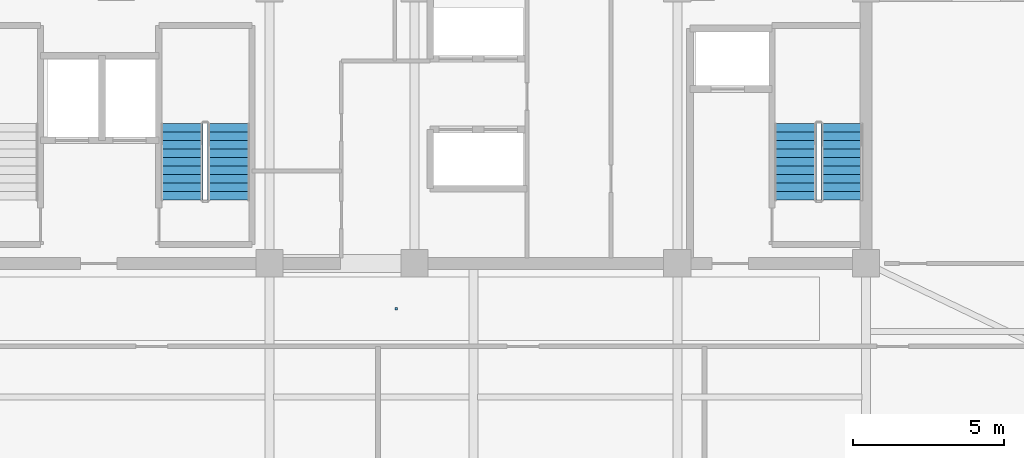
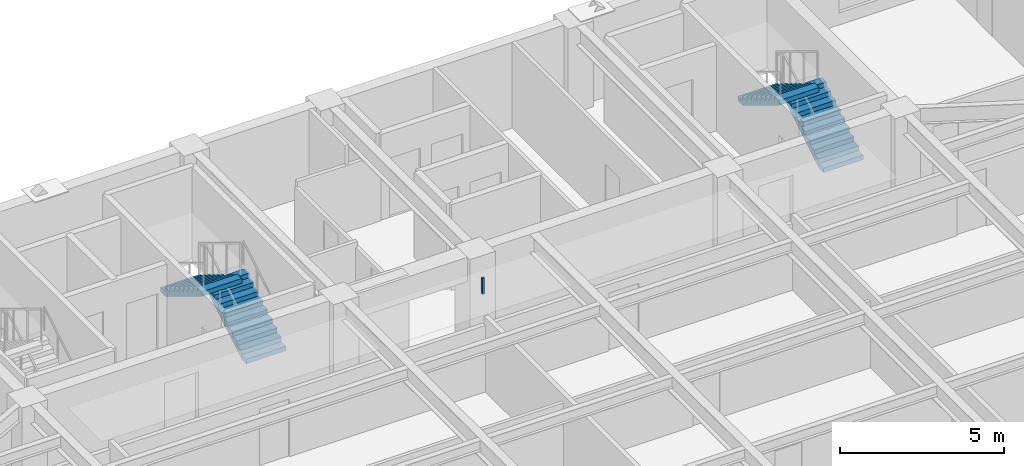
# One storey, part 9 of 13: 4 stair flights, 1 discrete accessory, 2 elements without a shape of their own.
"""IFC4 building model written with IfcOpenShell, lengths in metres."""

from ifc_helpers import new_model, si_unit, direction, frame, origin, origin_2d, place, context, subcontext, project, spatial, polyline, rectangle, outline, extrude, source, transform, mapped, material, type_object, element, aggregate, save


model = new_model("IFC4")

# Units and contexts
model_context = context("Model", 3, precision=1e-05, world=origin(), true_north=direction((0.0, 1.0)))
body_context = subcontext(model_context, "Body", "Model", "MODEL_VIEW")
ifc_project = project(units=[si_unit("LENGTHUNIT", "METRE"), si_unit("AREAUNIT", "SQUARE_METRE"), si_unit("VOLUMEUNIT", "CUBIC_METRE"), si_unit("PLANEANGLEUNIT", "RADIAN"), si_unit("MASSUNIT", "GRAM", prefix="KILO")], contexts=[model_context])

# Site, building, storey
site_placement = place(None, origin())
site = spatial("IfcSite", under=ifc_project, at=site_placement, CompositionType="ELEMENT")
building_placement = place(site_placement, origin())
building = spatial("IfcBuilding", under=site, at=building_placement, Name="Giltprow Tower", CompositionType="ELEMENT")
storey_placement = place(building_placement, frame((0.0, 0.0, 304.0)))
storey = spatial("IfcBuildingStorey", under=building, at=storey_placement, Name="L78", CompositionType="ELEMENT", Elevation=304.0)

# Stair, stair flights
ifc_material_1 = material(Name="Concrete C40", Category="concrete")
stair_type_1 = type_object("IfcStairType", Name="STR-ST-2", PredefinedType="HALF_TURN_STAIR", material=ifc_material_1)
stair_1_placement = place(storey_placement, origin())
stair_1 = element("IfcStair", 1, at=stair_1_placement, inside=storey, type_object=stair_type_1, Name="L78 Core Exit Stair ST-2", PredefinedType="HALF_TURN_STAIR")
stair_flight_type_1 = type_object("IfcStairFlightType", Name="SFL-ST-2", PredefinedType="STRAIGHT", material=ifc_material_1)
stair_flight_1_placement = place(storey_placement, frame((29.4599609375, 39.550048828125, 0.0), z_axis=(0.0, 0.0, 1.0), x_axis=(0.0, 1.0, 0.0)))
stair_flight_1 = element("IfcStairFlight", 2, at=stair_flight_1_placement, type_object=stair_flight_type_1, Name="ST-2 flight 1", NumberOfRisers=10, NumberOfTreads=9, PredefinedType="STRAIGHT", RiserHeight=0.17, TreadLength=0.28, context=body_context, shape_type="SweptSolid", body=[
    extrude(outline(polyline([(0.0, 0.0), (0.0, 0.169921875), (0.280029296875, 0.169921875), (0.280029296875, 0.340087890625), (0.56005859375, 0.340087890625), (0.56005859375, 0.510009765625), (0.840087890625, 0.510009765625), (0.840087890625, 0.679931640625), (1.1201171875, 0.679931640625), (1.1201171875, 0.85009765625), (1.39990234375, 0.85009765625), (1.39990234375, 1.02001953125), (1.679931640625, 1.02001953125), (1.679931640625, 1.18994140625), (1.9599609375, 1.18994140625), (1.9599609375, 1.360107421875), (2.239990234375, 1.360107421875), (2.239990234375, 1.530029296875), (2.52001953125, 1.530029296875), (2.52001953125, 1.699951171875), (2.52001953125, 1.354736328125), (0.288818359375, 0.0), (0.0, 0.0)])), frame((0.0, 0.699951171875, 0.0), z_axis=(0.0, -1.0, 0.0), x_axis=(1.0, 0.0, 0.0)), (0.0, 0.0, 1.0), 1.39990234375),
])
stair_flight_2_placement = place(storey_placement, frame((27.89990234375, 42.070068359375, 1.699951171875), z_axis=(0.0, 0.0, 1.0), x_axis=(0.0, -1.0, 0.0)))
stair_flight_2 = element("IfcStairFlight", 3, at=stair_flight_2_placement, type_object=stair_flight_type_1, Name="ST-2 flight 2", NumberOfRisers=10, NumberOfTreads=9, PredefinedType="STRAIGHT", RiserHeight=0.17, TreadLength=0.28, context=body_context, shape_type="SweptSolid", body=[
    extrude(outline(polyline([(0.0, 0.0), (0.0, 0.169921875), (0.280029296875, 0.169921875), (0.280029296875, 0.340087890625), (0.56005859375, 0.340087890625), (0.56005859375, 0.510009765625), (0.840087890625, 0.510009765625), (0.840087890625, 0.679931640625), (1.1201171875, 0.679931640625), (1.1201171875, 0.85009765625), (1.39990234375, 0.85009765625), (1.39990234375, 1.02001953125), (1.679931640625, 1.02001953125), (1.679931640625, 1.18994140625), (1.9599609375, 1.18994140625), (1.9599609375, 1.360107421875), (2.239990234375, 1.360107421875), (2.239990234375, 1.530029296875), (2.52001953125, 1.530029296875), (2.52001953125, 1.699951171875), (2.52001953125, 1.354736328125), (0.288818359375, 0.0), (0.0, 0.0)])), frame((0.0, 0.699951171875, 0.0), z_axis=(0.0, -1.0, 0.0), x_axis=(1.0, 0.0, 0.0)), (0.0, 0.0, 1.0), 1.39990234375),
])
aggregate(stair_1, [stair_flight_1, stair_flight_2])

stair_type_2 = type_object("IfcStairType", Name="STR-ST-3", PredefinedType="HALF_TURN_STAIR", material=ifc_material_1)
stair_2_placement = place(storey_placement, origin())
stair_2 = element("IfcStair", 4, at=stair_2_placement, inside=storey, type_object=stair_type_2, Name="L78 Core Exit Stair ST-3", PredefinedType="HALF_TURN_STAIR")
stair_flight_type_2 = type_object("IfcStairFlightType", Name="SFL-ST-3", PredefinedType="STRAIGHT", material=ifc_material_1)
stair_flight_3_placement = place(storey_placement, frame((49.760009765625, 39.550048828125, 0.0), z_axis=(0.0, 0.0, 1.0), x_axis=(0.0, 1.0, 0.0)))
stair_flight_3 = element("IfcStairFlight", 5, at=stair_flight_3_placement, type_object=stair_flight_type_2, Name="ST-3 flight 1", NumberOfRisers=10, NumberOfTreads=9, PredefinedType="STRAIGHT", RiserHeight=0.17, TreadLength=0.28, context=body_context, shape_type="SweptSolid", body=[
    extrude(outline(polyline([(0.0, 0.0), (0.0, 0.169921875), (0.280029296875, 0.169921875), (0.280029296875, 0.340087890625), (0.56005859375, 0.340087890625), (0.56005859375, 0.510009765625), (0.840087890625, 0.510009765625), (0.840087890625, 0.679931640625), (1.1201171875, 0.679931640625), (1.1201171875, 0.85009765625), (1.39990234375, 0.85009765625), (1.39990234375, 1.02001953125), (1.679931640625, 1.02001953125), (1.679931640625, 1.18994140625), (1.9599609375, 1.18994140625), (1.9599609375, 1.360107421875), (2.239990234375, 1.360107421875), (2.239990234375, 1.530029296875), (2.52001953125, 1.530029296875), (2.52001953125, 1.699951171875), (2.52001953125, 1.354736328125), (0.288818359375, 0.0), (0.0, 0.0)])), frame((0.0, 0.699951171875, 0.0), z_axis=(0.0, -1.0, 0.0), x_axis=(1.0, 0.0, 0.0)), (0.0, 0.0, 1.0), 1.39990234375),
])
stair_flight_4_placement = place(storey_placement, frame((48.199951171875, 42.070068359375, 1.699951171875), z_axis=(0.0, 0.0, 1.0), x_axis=(0.0, -1.0, 0.0)))
stair_flight_4 = element("IfcStairFlight", 6, at=stair_flight_4_placement, type_object=stair_flight_type_2, Name="ST-3 flight 2", NumberOfRisers=10, NumberOfTreads=9, PredefinedType="STRAIGHT", RiserHeight=0.17, TreadLength=0.28, context=body_context, shape_type="SweptSolid", body=[
    extrude(outline(polyline([(0.0, 0.0), (0.0, 0.169921875), (0.280029296875, 0.169921875), (0.280029296875, 0.340087890625), (0.56005859375, 0.340087890625), (0.56005859375, 0.510009765625), (0.840087890625, 0.510009765625), (0.840087890625, 0.679931640625), (1.1201171875, 0.679931640625), (1.1201171875, 0.85009765625), (1.39990234375, 0.85009765625), (1.39990234375, 1.02001953125), (1.679931640625, 1.02001953125), (1.679931640625, 1.18994140625), (1.9599609375, 1.18994140625), (1.9599609375, 1.360107421875), (2.239990234375, 1.360107421875), (2.239990234375, 1.530029296875), (2.52001953125, 1.530029296875), (2.52001953125, 1.699951171875), (2.52001953125, 1.354736328125), (0.288818359375, 0.0), (0.0, 0.0)])), frame((0.0, 0.699951171875, 0.0), z_axis=(0.0, -1.0, 0.0), x_axis=(1.0, 0.0, 0.0)), (0.0, 0.0, 1.0), 1.39990234375),
])
aggregate(stair_2, [stair_flight_3, stair_flight_4])

# Discrete accessory
ifc_material_2 = material(Name="Structural steel Q355B", Category="steel")
discrete_accessory_type = type_object("IfcDiscreteAccessoryType", Name="ACC-CLG-HANGER", PredefinedType="BRACKET", material=ifc_material_2)
shared_shape = source(origin(), body_context, "Body", "SweptSolid", [
    extrude(rectangle(XDim=0.080078125, YDim=0.080078125, at=origin_2d()), origin(), (0.0, 0.0, 1.0), 0.5849609375),
])
discrete_accessory_placement = place(storey_placement, frame((35.0, 35.949951171875, 2.62060546875), z_axis=(0.0, 0.0, 1.0), x_axis=(1.0, 0.0, 0.0)))
element("IfcDiscreteAccessory", 7, at=discrete_accessory_placement, inside=storey, type_object=discrete_accessory_type, Name="L78 Residence Gallery Ceiling Suspension Hanger", PredefinedType="BRACKET", context=body_context, shape_type="MappedRepresentation", body=[
    mapped(shared_shape, transform((0.0, 0.0, 0.0), x_axis=(1.0, 0.0, 0.0), y_axis=(0.0, 1.0, 0.0), z_axis=(0.0, 0.0, 1.0), scale=1.0)),
])

save(model, "model.ifc")
